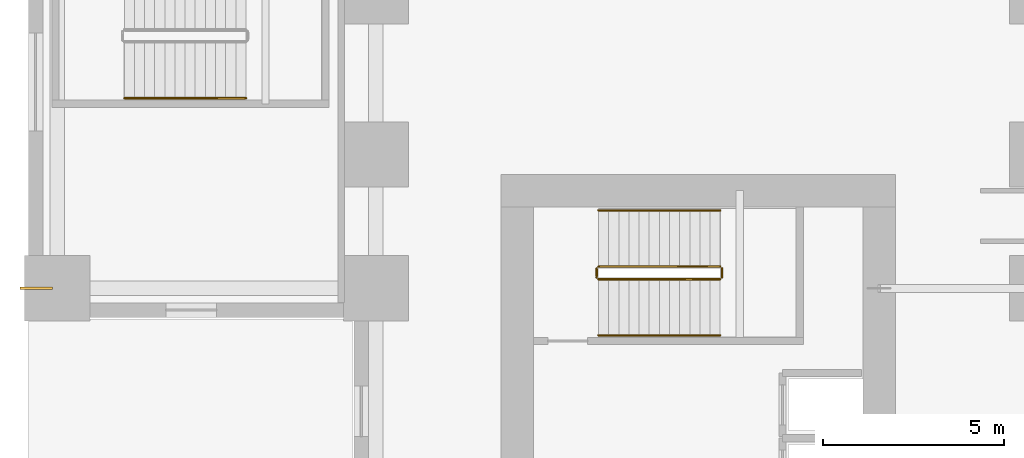
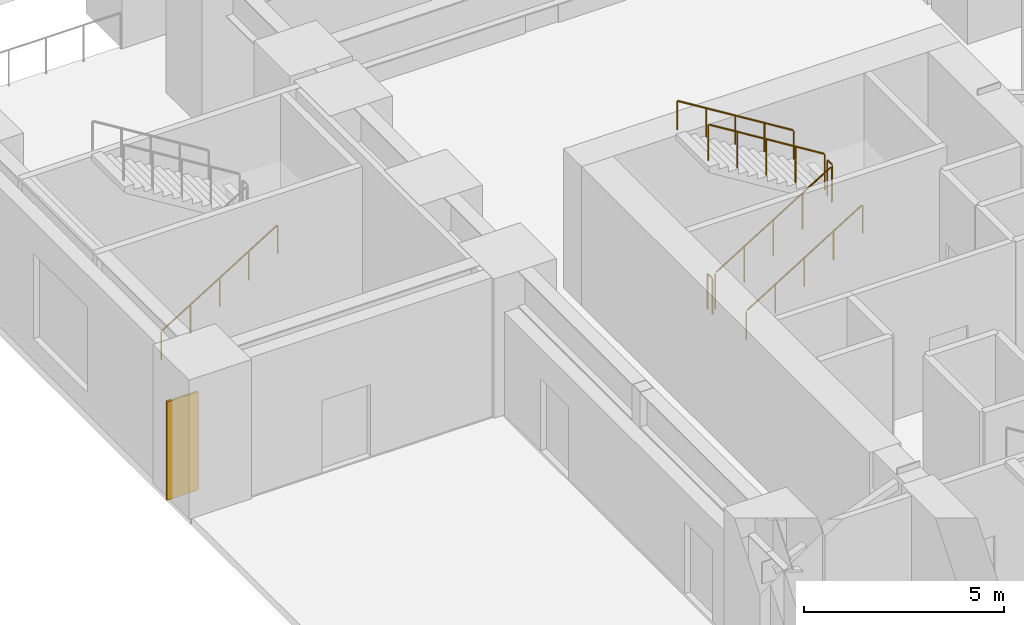
# One storey, part 19 of 23: 7 railings, 1 covering.
"""IFC4 building model written with IfcOpenShell, lengths in metres."""

from ifc_helpers import new_model, si_unit, direction, frame, origin, origin_2d, place, context, subcontext, project, spatial, rectangle, circle, extrude, source, transform, mapped, material, layer, layer_set, type_object, element, save


model = new_model("IFC4")

# Units and contexts
model_context = context("Model", 3, precision=1e-05, world=origin(), true_north=direction((0.0, 1.0)))
body_context = subcontext(model_context, "Body", "Model", "MODEL_VIEW")
ifc_project = project(units=[si_unit("LENGTHUNIT", "METRE"), si_unit("AREAUNIT", "SQUARE_METRE"), si_unit("VOLUMEUNIT", "CUBIC_METRE"), si_unit("PLANEANGLEUNIT", "RADIAN"), si_unit("MASSUNIT", "GRAM", prefix="KILO")], contexts=[model_context])

# Site, building, storey
site_placement = place(None, origin())
site = spatial("IfcSite", under=ifc_project, at=site_placement, CompositionType="ELEMENT")
building_placement = place(site_placement, origin())
building = spatial("IfcBuilding", under=site, at=building_placement, Name="Kharzan Plaza Tower", CompositionType="ELEMENT")
storey_placement = place(building_placement, origin())
storey = spatial("IfcBuildingStorey", under=building, at=storey_placement, Name="L00", CompositionType="ELEMENT", Elevation=0.0)

# Railings
ifc_material_1 = material(Name="Painted Galvanized Architectural Steel", Category="steel")
ifc_layer_1 = layer(ifc_material_1, 0.074951171875)
ifc_layer_set_1 = layer_set([ifc_layer_1], Name="Painted Galvanized Architectural Steel")
railing_type_1 = type_object("IfcRailingType", Name="RL-GUARD-1120", PredefinedType="BALUSTRADE", material=ifc_layer_set_1)
shared_shape_1 = source(origin(), body_context, "Body", "SweptSolid", [
    extrude(circle(Radius=0.02392578125, at=origin_2d()), frame((0.0224609375, 0.0, 1.10986328125), z_axis=(0.850623216509, 0.0, 0.525775754039), x_axis=(0.0, 1.0, 0.0)), (0.0, 0.0, 1.0), 3.897216796875),
    extrude(circle(Radius=0.02099609375, at=origin_2d()), origin(), (0.0, 0.0, 1.0), 1.072021484375),
    extrude(circle(Radius=0.02099609375, at=origin_2d()), frame((0.840087890625, 0.0, 0.519287109375)), (0.0, 0.0, 1.0), 1.072021484375),
    extrude(circle(Radius=0.02099609375, at=origin_2d()), frame((1.68017578125, 0.0, 1.03857421875)), (0.0, 0.0, 1.0), 1.072021484375),
    extrude(circle(Radius=0.02099609375, at=origin_2d()), frame((2.52001953125, 0.0, 1.5576171875)), (0.0, 0.0, 1.0), 1.072021484375),
    extrude(circle(Radius=0.02099609375, at=origin_2d()), frame((3.360107421875, 0.0, 2.076904296875)), (0.0, 0.0, 1.0), 1.072021484375),
])
railing_1_placement = place(storey_placement, frame((6.75, 27.050048828125, 0.173095703125)))
element("IfcRailing", 1, at=railing_1_placement, inside=storey, type_object=railing_type_1, Name="L00 ST-2 stair guard 1", PredefinedType="BALUSTRADE", context=body_context, shape_type="MappedRepresentation", body=[
    mapped(shared_shape_1, transform((0.0, 0.0, 0.0), x_axis=(1.0, 0.0, 0.0), y_axis=(0.0, 1.0, 0.0), z_axis=(0.0, 0.0, 1.0))),
])
shared_shape_2 = source(origin(), body_context, "Body", "SweptSolid", [
    extrude(circle(Radius=0.02392578125, at=origin_2d()), frame((0.0, 0.0263671875, 1.09619140625), z_axis=(0.0, 1.0, 0.0), x_axis=(-1.0, 0.0, 0.0)), (0.0, 0.0, 1.0), 0.197021484375),
    extrude(circle(Radius=0.02099609375, at=origin_2d()), origin(), (0.0, 0.0, 1.0), 1.072021484375),
    extrude(circle(Radius=0.02099609375, at=origin_2d()), frame((0.0, 0.25, 0.0)), (0.0, 0.0, 1.0), 1.072021484375),
])
for number, where, name in (
    (2, (10.159912109375, 27.10009765625, 2.25), "L00 ST-2 stair guard 2"),
    (3, (6.699951171875, 27.10009765625, 0.0), "L00 ST-2 stair guard 4"),
):
    element("IfcRailing", number, at=place(storey_placement, frame(where)), inside=storey, type_object=railing_type_1, Name=name, PredefinedType="BALUSTRADE", context=body_context, shape_type="MappedRepresentation", body=[
        mapped(shared_shape_2, transform((0.0, 0.0, 0.0), x_axis=(1.0, 0.0, 0.0), y_axis=(0.0, 1.0, 0.0), z_axis=(0.0, 0.0, 1.0))),
    ])
shared_shape_3 = source(origin(), body_context, "Body", "SweptSolid", [
    extrude(circle(Radius=0.02392578125, at=origin_2d()), frame((-0.0224609375, 0.0, 1.10986328125), z_axis=(-0.850623216509, 0.0, 0.525775754039), x_axis=(0.0, -1.0, 0.0)), (0.0, 0.0, 1.0), 3.897216796875),
    extrude(circle(Radius=0.02099609375, at=origin_2d()), origin(), (0.0, 0.0, 1.0), 1.072021484375),
    extrude(circle(Radius=0.02099609375, at=origin_2d()), frame((-0.840087890625, 0.0, 0.519287109375)), (0.0, 0.0, 1.0), 1.072021484375),
    extrude(circle(Radius=0.02099609375, at=origin_2d()), frame((-1.68017578125, 0.0, 1.03857421875)), (0.0, 0.0, 1.0), 1.072021484375),
    extrude(circle(Radius=0.02099609375, at=origin_2d()), frame((-2.52001953125, 0.0, 1.5576171875)), (0.0, 0.0, 1.0), 1.072021484375),
    extrude(circle(Radius=0.02099609375, at=origin_2d()), frame((-3.360107421875, 0.0, 2.076904296875)), (0.0, 0.0, 1.0), 1.072021484375),
])
railing_2_placement = place(storey_placement, frame((10.110107421875, 27.39990234375, 2.423095703125)))
element("IfcRailing", 4, at=railing_2_placement, inside=storey, type_object=railing_type_1, Name="L00 ST-2 stair guard 3", PredefinedType="BALUSTRADE", context=body_context, shape_type="MappedRepresentation", body=[
    mapped(shared_shape_3, transform((0.0, 0.0, 0.0), x_axis=(1.0, 0.0, 0.0), y_axis=(0.0, 1.0, 0.0), z_axis=(0.0, 0.0, 1.0))),
])
ifc_material_2 = material(Name="Brushed Stainless Steel", Category="steel")
ifc_layer_2 = layer(ifc_material_2, 0.050048828125)
ifc_layer_set_2 = layer_set([ifc_layer_2], Name="Brushed Stainless Steel")
railing_type_2 = type_object("IfcRailingType", Name="RL-STAIR-HR920", PredefinedType="HANDRAIL", material=ifc_layer_set_2)
shared_shape_4 = source(origin(), body_context, "Body", "SweptSolid", [
    extrude(circle(Radius=0.02392578125, at=origin_2d()), frame((0.0224609375, 0.0, 0.8896484375), z_axis=(0.850623216509, 0.0, 0.525775754039), x_axis=(0.0, 1.0, 0.0)), (0.0, 0.0, 1.0), 3.897216796875),
    extrude(circle(Radius=0.02099609375, at=origin_2d()), origin(), (0.0, 0.0, 1.0), 0.851806640625),
    extrude(circle(Radius=0.02099609375, at=origin_2d()), frame((0.840087890625, 0.0, 0.519287109375)), (0.0, 0.0, 1.0), 0.851806640625),
    extrude(circle(Radius=0.02099609375, at=origin_2d()), frame((1.68017578125, 0.0, 1.03857421875)), (0.0, 0.0, 1.0), 0.851806640625),
    extrude(circle(Radius=0.02099609375, at=origin_2d()), frame((2.52001953125, 0.0, 1.5576171875)), (0.0, 0.0, 1.0), 0.851806640625),
    extrude(circle(Radius=0.02099609375, at=origin_2d()), frame((3.360107421875, 0.0, 2.076904296875)), (0.0, 0.0, 1.0), 0.851806640625),
])
for number, where, name in (
    (5, (6.75, 25.5, 0.173095703125), "L00 ST-2 stair handrail 1"),
    (6, (-6.35009765625, 32.050048828125, 0.173095703125), "L00 ST-4 stair handrail 1"),
):
    element("IfcRailing", number, at=place(storey_placement, frame(where)), inside=storey, type_object=railing_type_2, Name=name, PredefinedType="HANDRAIL", context=body_context, shape_type="MappedRepresentation", body=[
        mapped(shared_shape_4, transform((0.0, 0.0, 0.0), x_axis=(1.0, 0.0, 0.0), y_axis=(0.0, 1.0, 0.0), z_axis=(0.0, 0.0, 1.0))),
    ])
shared_shape_5 = source(origin(), body_context, "Body", "SweptSolid", [
    extrude(circle(Radius=0.02392578125, at=origin_2d()), frame((-0.0224609375, 0.0, 0.8896484375), z_axis=(-0.850623216509, 0.0, 0.525775754039), x_axis=(0.0, -1.0, 0.0)), (0.0, 0.0, 1.0), 3.897216796875),
    extrude(circle(Radius=0.02099609375, at=origin_2d()), origin(), (0.0, 0.0, 1.0), 0.851806640625),
    extrude(circle(Radius=0.02099609375, at=origin_2d()), frame((-0.840087890625, 0.0, 0.519287109375)), (0.0, 0.0, 1.0), 0.851806640625),
    extrude(circle(Radius=0.02099609375, at=origin_2d()), frame((-1.68017578125, 0.0, 1.03857421875)), (0.0, 0.0, 1.0), 0.851806640625),
    extrude(circle(Radius=0.02099609375, at=origin_2d()), frame((-2.52001953125, 0.0, 1.5576171875)), (0.0, 0.0, 1.0), 0.851806640625),
    extrude(circle(Radius=0.02099609375, at=origin_2d()), frame((-3.360107421875, 0.0, 2.076904296875)), (0.0, 0.0, 1.0), 0.851806640625),
])
railing_3_placement = place(storey_placement, frame((10.110107421875, 28.949951171875, 2.423095703125)))
element("IfcRailing", 7, at=railing_3_placement, inside=storey, type_object=railing_type_2, Name="L00 ST-2 stair handrail 2", PredefinedType="HANDRAIL", context=body_context, shape_type="MappedRepresentation", body=[
    mapped(shared_shape_5, transform((0.0, 0.0, 0.0), x_axis=(1.0, 0.0, 0.0), y_axis=(0.0, 1.0, 0.0), z_axis=(0.0, 0.0, 1.0))),
])

# Covering
ifc_material_3 = material(Name="Honed Riyadh Limestone", Category="masonry")
ifc_layer_3 = layer(ifc_material_3, 0.06005859375)
ifc_layer_set_3 = layer_set([ifc_layer_3], Name="Honed Riyadh Limestone")
covering_type = type_object("IfcCoveringType", Name="COV-CLAD-STONE", PredefinedType="CLADDING", material=ifc_layer_set_3)
shared_shape_6 = source(origin(), body_context, "Body", "SweptSolid", [
    extrude(rectangle(XDim=0.06005859375, YDim=0.89990234375, at=origin_2d()), origin(), (0.0, 0.0, 1.0), 3.0),
])
covering_placement = place(storey_placement, frame((-8.780029296875, 26.800048828125, 0.10009765625), z_axis=(0.0, 0.0, 1.0), x_axis=(0.0, 1.0, 0.0)))
element("IfcCovering", 8, at=covering_placement, inside=storey, type_object=covering_type, Name="L00 Limestone Pier Rainscreen Cladding MC01", PredefinedType="CLADDING", context=body_context, shape_type="MappedRepresentation", body=[
    mapped(shared_shape_6, transform((0.0, 0.0, 0.0), x_axis=(1.0, 0.0, 0.0), y_axis=(0.0, 1.0, 0.0), z_axis=(0.0, 0.0, 1.0))),
])

save(model, "model.ifc")
